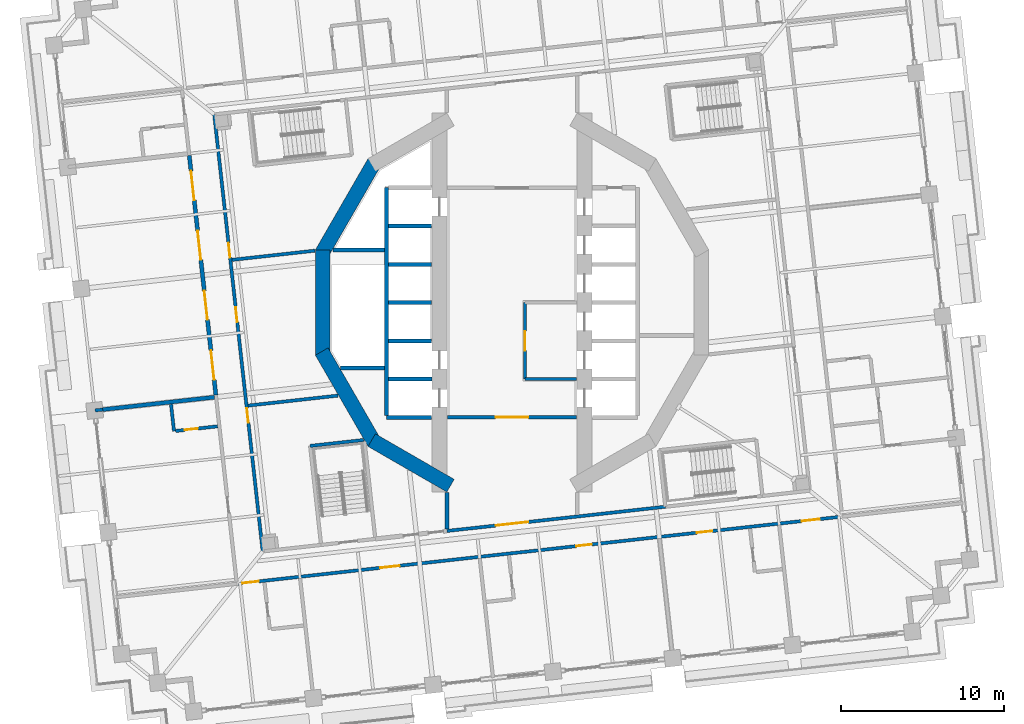
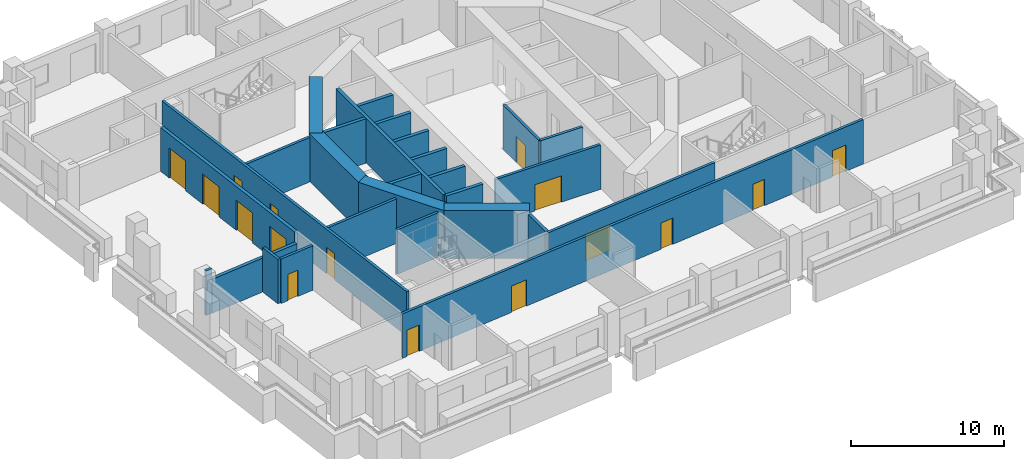
# One storey, part 5 of 19: 28 walls, 16 doors, 16 openings.
"""IFC4 building model written with IfcOpenShell, lengths in metres."""

from ifc_helpers import new_model, si_unit, direction, frame, frame_2d, origin, place, context, subcontext, project, spatial, rectangle, extrude, material, layer, layer_set, type_object, element, fill, save


model = new_model("IFC4")

# Units and contexts
model_context = context("Model", 3, precision=1e-05, world=origin(), true_north=direction((0.0, 1.0)))
body_context = subcontext(model_context, "Body", "Model", "MODEL_VIEW")
ifc_project = project(units=[si_unit("LENGTHUNIT", "METRE"), si_unit("AREAUNIT", "SQUARE_METRE"), si_unit("VOLUMEUNIT", "CUBIC_METRE"), si_unit("PLANEANGLEUNIT", "RADIAN"), si_unit("MASSUNIT", "GRAM", prefix="KILO")], contexts=[model_context])

# Site, building, storey
site_placement = place(None, origin())
site = spatial("IfcSite", under=ifc_project, at=site_placement, CompositionType="ELEMENT")
building_placement = place(site_placement, origin())
building = spatial("IfcBuilding", under=site, at=building_placement, Name="Cantera Rosa Tower", CompositionType="ELEMENT")
storey_placement = place(building_placement, frame((0.0, 0.0, 65.300048828125)))
storey = spatial("IfcBuildingStorey", under=building, at=storey_placement, Name="L13", CompositionType="ELEMENT", Elevation=65.300048828125)

# Wall, openings, doors
ifc_material_1 = material(Name="Gypsum board partition")
ifc_layer_1 = layer(ifc_material_1, 0.199951171875)
ifc_layer_set_1 = layer_set([ifc_layer_1], Name="CORRIDOR WALL 200 H3550")
wall_type_1 = type_object("IfcWallType", Name="CORRIDOR WALL 200 H3550", PredefinedType="PARTITIONING", material=ifc_layer_set_1)
wall_1_placement = place(storey_placement, frame((-18.2861328125, 11.55322265625, 0.0), z_axis=(0.0, 0.0, 1.0), x_axis=(0.110315409641, -0.993896629633, 0.0)))
wall_1 = element("IfcWall", 1, at=wall_1_placement, inside=storey, type_object=wall_type_1, Name="CORRIDOR WALL L13-010", PredefinedType="PARTITIONING", context=body_context, shape_type="SweptSolid", body=[
    extrude(rectangle(XDim=27.0, YDim=0.199951171875, at=frame_2d((13.5, 0.0))), origin(), (0.0, 0.0, 1.0), 3.550048828125),
])
opening_1_placement = place(wall_1_placement, frame((7.9423828125, 0.0, 0.0)))
opening_1 = element("IfcOpeningElement", 2, at=opening_1_placement, cuts=wall_1, Name="Opening L13-007", PredefinedType="OPENING", context=body_context, shape_type="SweptSolid", body=[
    extrude(rectangle(XDim=0.89990234375, YDim=2.10009765625, at=frame_2d((0.449951171875, 1.050048828125))), frame((0.0, 0.10986328125, 0.0), z_axis=(0.0, -1.0, 0.0), x_axis=(1.0, 0.0, 0.0)), (0.0, 0.0, 1.0), 0.219970703125),
])
opening_2_placement = place(wall_1_placement, frame((11.925048828125, 0.0, 0.0)))
opening_2 = element("IfcOpeningElement", 3, at=opening_2_placement, cuts=wall_1, Name="Opening L13-008", PredefinedType="OPENING", context=body_context, shape_type="SweptSolid", body=[
    extrude(rectangle(XDim=0.89990234375, YDim=2.10009765625, at=frame_2d((0.449951171875, 1.050048828125))), frame((0.0, 0.10986328125, 0.0), z_axis=(0.0, -1.0, 0.0), x_axis=(1.0, 0.0, 0.0)), (0.0, 0.0, 1.0), 0.219970703125),
])
opening_3_placement = place(wall_1_placement, frame((18.157470703125, 0.0, 0.0)))
opening_3 = element("IfcOpeningElement", 4, at=opening_3_placement, cuts=wall_1, Name="Opening L13-009", PredefinedType="OPENING", context=body_context, shape_type="SweptSolid", body=[
    extrude(rectangle(XDim=0.89990234375, YDim=2.10009765625, at=frame_2d((0.449951171875, 1.050048828125))), frame((0.0, 0.10986328125, 0.0), z_axis=(0.0, -1.0, 0.0), x_axis=(1.0, 0.0, 0.0)), (0.0, 0.0, 1.0), 0.219970703125),
])
ifc_material_2 = material(Name="Timber door leaf", Category="wood")
door_type_1 = type_object("IfcDoorType", Name="SERVICE DOOR 900x2100", OperationType="NOTDEFINED", PredefinedType="DOOR", material=ifc_material_2)
door_1_placement = place(opening_1_placement, origin())
door_1 = element("IfcDoor", 5, at=door_1_placement, inside=storey, type_object=door_type_1, Name="DOOR L13-007", OperationType="NOTDEFINED", OverallHeight=2.10009765625, OverallWidth=0.89990234375, PredefinedType="DOOR", context=body_context, shape_type="SweptSolid", body=[
    extrude(rectangle(XDim=0.89990234375, YDim=2.10009765625, at=frame_2d((0.449951171875, 1.050048828125))), frame((0.0, 0.02490234375, 0.0), z_axis=(0.0, -1.0, 0.0), x_axis=(1.0, 0.0, 0.0)), (0.0, 0.0, 1.0), 0.050048828125),
])
fill(opening_1, door_1)
door_2_placement = place(opening_2_placement, origin())
door_2 = element("IfcDoor", 6, at=door_2_placement, inside=storey, type_object=door_type_1, Name="DOOR L13-008", OperationType="NOTDEFINED", OverallHeight=2.10009765625, OverallWidth=0.89990234375, PredefinedType="DOOR", context=body_context, shape_type="SweptSolid", body=[
    extrude(rectangle(XDim=0.89990234375, YDim=2.10009765625, at=frame_2d((0.449951171875, 1.050048828125))), frame((0.0, 0.02490234375, 0.0), z_axis=(0.0, -1.0, 0.0), x_axis=(1.0, 0.0, 0.0)), (0.0, 0.0, 1.0), 0.050048828125),
])
fill(opening_2, door_2)
door_3_placement = place(opening_3_placement, origin())
door_3 = element("IfcDoor", 7, at=door_3_placement, inside=storey, type_object=door_type_1, Name="DOOR L13-009", OperationType="NOTDEFINED", OverallHeight=2.10009765625, OverallWidth=0.89990234375, PredefinedType="DOOR", context=body_context, shape_type="SweptSolid", body=[
    extrude(rectangle(XDim=0.89990234375, YDim=2.10009765625, at=frame_2d((0.449951171875, 1.050048828125))), frame((0.0, 0.02490234375, 0.0), z_axis=(0.0, -1.0, 0.0), x_axis=(1.0, 0.0, 0.0)), (0.0, 0.0, 1.0), 0.050048828125),
])
fill(opening_3, door_3)

wall_2_placement = place(storey_placement, frame((-16.898193359375, -17.26953125, 0.0), z_axis=(0.0, 0.0, 1.0), x_axis=(0.993896862852, 0.11031330841, 0.0)))
wall_2 = element("IfcWall", 8, at=wall_2_placement, inside=storey, type_object=wall_type_1, Name="CORRIDOR WALL L13-014", PredefinedType="PARTITIONING", context=body_context, shape_type="SweptSolid", body=[
    extrude(rectangle(XDim=37.400146484375, YDim=0.199951171875, at=frame_2d((18.7001953125, 0.0))), origin(), (0.0, 0.0, 1.0), 3.550048828125),
])
opening_4_placement = place(wall_2_placement, frame((8.85009765625, 0.0, 0.0)))
opening_4 = element("IfcOpeningElement", 9, at=opening_4_placement, cuts=wall_2, Name="Opening L13-037", PredefinedType="OPENING", context=body_context, shape_type="SweptSolid", body=[
    extrude(rectangle(XDim=1.199951171875, YDim=2.10009765625, at=frame_2d((0.60009765625, 1.050048828125))), frame((0.0, 0.10986328125, 0.0), z_axis=(0.0, -1.0, 0.0), x_axis=(1.0, 0.0, 0.0)), (0.0, 0.0, 1.0), 0.219970703125),
])
opening_5_placement = place(wall_2_placement, frame((20.97509765625, 0.0, 0.0)))
opening_5 = element("IfcOpeningElement", 10, at=opening_5_placement, cuts=wall_2, Name="Opening L13-038", PredefinedType="OPENING", context=body_context, shape_type="SweptSolid", body=[
    extrude(rectangle(XDim=0.949951171875, YDim=2.10009765625, at=frame_2d((0.47509765625, 1.050048828125))), frame((0.0, 0.10986328125, 0.0), z_axis=(0.0, -1.0, 0.0), x_axis=(1.0, 0.0, 0.0)), (0.0, 0.0, 1.0), 0.219970703125),
])
opening_6_placement = place(wall_2_placement, frame((28.425048828125, 0.0, 0.0)))
opening_6 = element("IfcOpeningElement", 11, at=opening_6_placement, cuts=wall_2, Name="Opening L13-040", PredefinedType="OPENING", context=body_context, shape_type="SweptSolid", body=[
    extrude(rectangle(XDim=0.949951171875, YDim=2.10009765625, at=frame_2d((0.47509765625, 1.050048828125))), frame((0.0, 0.10986328125, 0.0), z_axis=(0.0, -1.0, 0.0), x_axis=(1.0, 0.0, 0.0)), (0.0, 0.0, 1.0), 0.219970703125),
])
opening_7_placement = place(wall_2_placement, frame((0.35009765625, 0.0, 0.0)))
opening_7 = element("IfcOpeningElement", 12, at=opening_7_placement, cuts=wall_2, Name="Opening L13-042", PredefinedType="OPENING", context=body_context, shape_type="SweptSolid", body=[
    extrude(rectangle(XDim=1.0, YDim=2.10009765625, at=frame_2d((0.5, 1.050048828125))), frame((0.0, 0.10986328125, 0.0), z_axis=(0.0, -1.0, 0.0), x_axis=(1.0, 0.0, 0.0)), (0.0, 0.0, 1.0), 0.219970703125),
])
opening_8_placement = place(wall_2_placement, frame((34.89990234375, 0.0, 0.0)))
opening_8 = element("IfcOpeningElement", 13, at=opening_8_placement, cuts=wall_2, Name="Opening L13-044", PredefinedType="OPENING", context=body_context, shape_type="SweptSolid", body=[
    extrude(rectangle(XDim=1.10009765625, YDim=2.10009765625, at=frame_2d((0.550048828125, 1.050048828125))), frame((0.0, 0.10986328125, 0.0), z_axis=(0.0, -1.0, 0.0), x_axis=(1.0, 0.0, 0.0)), (0.0, 0.0, 1.0), 0.219970703125),
])
ifc_material_3 = material(Name="Timber door leaf", Category="wood")
door_type_2 = type_object("IfcDoorType", Name="ENTRANCE DOOR 1000x2100", OperationType="NOTDEFINED", PredefinedType="DOOR", material=ifc_material_3)
door_4_placement = place(opening_7_placement, origin())
door_4 = element("IfcDoor", 14, at=door_4_placement, inside=storey, type_object=door_type_2, Name="DOOR L13-042", OperationType="NOTDEFINED", OverallHeight=2.10009765625, OverallWidth=1.0, PredefinedType="DOOR", context=body_context, shape_type="SweptSolid", body=[
    extrude(rectangle(XDim=1.0, YDim=2.10009765625, at=frame_2d((0.5, 1.050048828125))), frame((0.0, 0.02490234375, 0.0), z_axis=(0.0, -1.0, 0.0), x_axis=(1.0, 0.0, 0.0)), (0.0, 0.0, 1.0), 0.050048828125),
])
fill(opening_7, door_4)
ifc_material_4 = material(Name="Timber door leaf", Category="wood")
door_type_3 = type_object("IfcDoorType", Name="ROOM DOOR 1100x2100", OperationType="NOTDEFINED", PredefinedType="DOOR", material=ifc_material_4)
door_5_placement = place(opening_8_placement, origin())
door_5 = element("IfcDoor", 15, at=door_5_placement, inside=storey, type_object=door_type_3, Name="DOOR L13-044", OperationType="NOTDEFINED", OverallHeight=2.10009765625, OverallWidth=1.10009765625, PredefinedType="DOOR", context=body_context, shape_type="SweptSolid", body=[
    extrude(rectangle(XDim=1.10009765625, YDim=2.10009765625, at=frame_2d((0.550048828125, 1.050048828125))), frame((0.0, 0.02490234375, 0.0), z_axis=(0.0, -1.0, 0.0), x_axis=(1.0, 0.0, 0.0)), (0.0, 0.0, 1.0), 0.050048828125),
])
fill(opening_8, door_5)
ifc_material_5 = material(Name="Timber door leaf", Category="wood")
door_type_4 = type_object("IfcDoorType", Name="ROOM DOOR 1200x2100", OperationType="NOTDEFINED", PredefinedType="DOOR", material=ifc_material_5)
door_6_placement = place(opening_4_placement, origin())
door_6 = element("IfcDoor", 16, at=door_6_placement, inside=storey, type_object=door_type_4, Name="DOOR L13-037", OperationType="NOTDEFINED", OverallHeight=2.10009765625, OverallWidth=1.199951171875, PredefinedType="DOOR", context=body_context, shape_type="SweptSolid", body=[
    extrude(rectangle(XDim=1.199951171875, YDim=2.10009765625, at=frame_2d((0.60009765625, 1.050048828125))), frame((0.0, 0.02490234375, 0.0), z_axis=(0.0, -1.0, 0.0), x_axis=(1.0, 0.0, 0.0)), (0.0, 0.0, 1.0), 0.050048828125),
])
fill(opening_4, door_6)
ifc_material_6 = material(Name="Timber door leaf", Category="wood")
door_type_5 = type_object("IfcDoorType", Name="ROOM DOOR 950x2100", OperationType="NOTDEFINED", PredefinedType="DOOR", material=ifc_material_6)
door_7_placement = place(opening_5_placement, origin())
door_7 = element("IfcDoor", 17, at=door_7_placement, inside=storey, type_object=door_type_5, Name="DOOR L13-038", OperationType="NOTDEFINED", OverallHeight=2.10009765625, OverallWidth=0.949951171875, PredefinedType="DOOR", context=body_context, shape_type="SweptSolid", body=[
    extrude(rectangle(XDim=0.949951171875, YDim=2.10009765625, at=frame_2d((0.47509765625, 1.050048828125))), frame((0.0, 0.02490234375, 0.0), z_axis=(0.0, -1.0, 0.0), x_axis=(1.0, 0.0, 0.0)), (0.0, 0.0, 1.0), 0.050048828125),
])
fill(opening_5, door_7)
door_8_placement = place(opening_6_placement, origin())
door_8 = element("IfcDoor", 18, at=door_8_placement, inside=storey, type_object=door_type_5, Name="DOOR L13-040", OperationType="NOTDEFINED", OverallHeight=2.10009765625, OverallWidth=0.949951171875, PredefinedType="DOOR", context=body_context, shape_type="SweptSolid", body=[
    extrude(rectangle(XDim=0.949951171875, YDim=2.10009765625, at=frame_2d((0.47509765625, 1.050048828125))), frame((0.0, 0.02490234375, 0.0), z_axis=(0.0, -1.0, 0.0), x_axis=(1.0, 0.0, 0.0)), (0.0, 0.0, 1.0), 0.050048828125),
])
fill(opening_6, door_8)

# Wall, opening, door
wall_3_placement = place(storey_placement, frame((-4.0, -14.02685546875, 0.0), z_axis=(0.0, 0.0, 1.0), x_axis=(0.993897619869, 0.110306487659, 0.0)))
wall_3 = element("IfcWall", 19, at=wall_3_placement, inside=storey, type_object=wall_type_1, Name="CORRIDOR WALL L13-048", PredefinedType="PARTITIONING", context=body_context, shape_type="SweptSolid", body=[
    extrude(rectangle(XDim=13.5009765625, YDim=0.199951171875, at=frame_2d((6.75048828125, 0.0))), origin(), (0.0, 0.0, 1.0), 3.550048828125),
])
opening_9_placement = place(wall_3_placement, frame((3.024658203125, 0.0, 0.0)))
opening_9 = element("IfcOpeningElement", 20, at=opening_9_placement, cuts=wall_3, Name="Opening L13-014", PredefinedType="OPENING", context=body_context, shape_type="SweptSolid", body=[
    extrude(rectangle(XDim=2.0, YDim=2.10009765625, at=frame_2d((1.0, 1.050048828125))), frame((0.0, 0.10986328125, 0.0), z_axis=(0.0, -1.0, 0.0), x_axis=(1.0, 0.0, 0.0)), (0.0, 0.0, 1.0), 0.219970703125),
])
ifc_material_7 = material(Name="Steel S355J2 (EN 10025-2)", Category="steel")
door_type_6 = type_object("IfcDoorType", Name="LOBBY SCREEN DOOR 2000x2100", OperationType="NOTDEFINED", PredefinedType="DOOR", material=ifc_material_7)
door_9_placement = place(opening_9_placement, origin())
door_9 = element("IfcDoor", 21, at=door_9_placement, inside=storey, type_object=door_type_6, Name="DOOR L13-014", OperationType="NOTDEFINED", OverallHeight=2.10009765625, OverallWidth=2.0, PredefinedType="DOOR", context=body_context, shape_type="SweptSolid", body=[
    extrude(rectangle(XDim=2.0, YDim=2.10009765625, at=frame_2d((1.0, 1.050048828125))), frame((0.0, 0.02490234375, 0.0), z_axis=(0.0, -1.0, 0.0), x_axis=(1.0, 0.0, 0.0)), (0.0, 0.0, 1.0), 0.050048828125),
])
fill(opening_9, door_9)

wall_4_placement = place(storey_placement, frame((3.969970703125, -7.050048828125, 0.0), z_axis=(0.0, 0.0, 1.0), x_axis=(-1.0, 0.0, 0.0)))
wall_4 = element("IfcWall", 22, at=wall_4_placement, inside=storey, type_object=wall_type_1, Name="CORRIDOR WALL L13-058", PredefinedType="PARTITIONING", context=body_context, shape_type="SweptSolid", body=[
    extrude(rectangle(XDim=7.93994140625, YDim=0.199951171875, at=frame_2d((3.969970703125, 0.0))), origin(), (0.0, 0.0, 1.0), 3.550048828125),
])
opening_10_placement = place(wall_4_placement, frame((2.969970703125, 0.0, 0.0)))
opening_10 = element("IfcOpeningElement", 23, at=opening_10_placement, cuts=wall_4, Name="Opening L13-015", PredefinedType="OPENING", context=body_context, shape_type="SweptSolid", body=[
    extrude(rectangle(XDim=2.0, YDim=2.10009765625, at=frame_2d((1.0, 1.050048828125))), frame((0.0, 0.10986328125, 0.0), z_axis=(0.0, -1.0, 0.0), x_axis=(1.0, 0.0, 0.0)), (0.0, 0.0, 1.0), 0.219970703125),
])
door_10_placement = place(opening_10_placement, origin())
door_10 = element("IfcDoor", 24, at=door_10_placement, inside=storey, type_object=door_type_6, Name="DOOR L13-015", OperationType="NOTDEFINED", OverallHeight=2.10009765625, OverallWidth=2.0, PredefinedType="DOOR", context=body_context, shape_type="SweptSolid", body=[
    extrude(rectangle(XDim=2.0, YDim=2.10009765625, at=frame_2d((1.0, 1.050048828125))), frame((0.0, 0.02490234375, 0.0), z_axis=(0.0, -1.0, 0.0), x_axis=(1.0, 0.0, 0.0)), (0.0, 0.0, 1.0), 0.050048828125),
])
fill(opening_10, door_10)

# Wall
ifc_material_8 = material(Name="Concrete C40/50", Category="concrete")
ifc_layer_2 = layer(ifc_material_8, 0.25)
ifc_layer_set_2 = layer_set([ifc_layer_2], Name="EW-POCKET CHEEK 250 H2710")
wall_type_2 = type_object("IfcWallType", Name="EW-POCKET CHEEK 250 H2710", PredefinedType="SOLIDWALL", material=ifc_layer_set_2)
wall_5_placement = place(storey_placement, frame((-25.12841796875, -6.572021484375, 0.0), z_axis=(0.0, 0.0, 1.0), x_axis=(0.993899689646, 0.11028783669, 0.0)))
element("IfcWall", 25, at=wall_5_placement, inside=storey, type_object=wall_type_2, Name="POCKET CHEEK B L13", PredefinedType="SOLIDWALL", context=body_context, shape_type="SweptSolid", body=[
    extrude(rectangle(XDim=6.89990234375, YDim=0.25, at=frame_2d((3.449951171875, 0.0))), origin(), (0.0, 0.0, 1.0), 2.7099609375),
])

# Wall, openings, doors
ifc_material_9 = material(Name="Hollow clay masonry with cantera stone cladding", Category="masonry")
ifc_layer_3 = layer(ifc_material_9, 0.25)
ifc_layer_set_3 = layer_set([ifc_layer_3], Name="EW-POCKET REAR 250")
wall_type_3 = type_object("IfcWallType", Name="EW-POCKET REAR 250", PredefinedType="SOLIDWALL", material=ifc_layer_set_3)
wall_6_placement = place(storey_placement, frame((-19.81640625, 9.024169921875, 0.0), z_axis=(0.0, 0.0, 1.0), x_axis=(0.110315574456, -0.99389661134, 0.0)))
wall_6 = element("IfcWall", 26, at=wall_6_placement, inside=storey, type_object=wall_type_3, Name="POCKET REAR L13", PredefinedType="SOLIDWALL", context=body_context, shape_type="SweptSolid", body=[
    extrude(rectangle(XDim=14.790283203125, YDim=0.25, at=frame_2d((7.39501953125, 0.0))), origin(), (0.0, 0.0, 1.0), 3.5),
])
opening_11_placement = place(wall_6_placement, frame((0.94873046875, 0.0, 0.0)))
opening_11 = element("IfcOpeningElement", 27, at=opening_11_placement, cuts=wall_6, Name="Opening L13-LT01", PredefinedType="OPENING", context=body_context, shape_type="SweptSolid", body=[
    extrude(rectangle(XDim=1.800048828125, YDim=2.39990234375, at=frame_2d((0.89990234375, 1.199951171875))), frame((0.0, 0.135009765625, 0.0), z_axis=(0.0, -1.0, 0.0), x_axis=(1.0, 0.0, 0.0)), (0.0, 0.0, 1.0), 0.27001953125),
])
opening_12_placement = place(wall_6_placement, frame((4.646240234375, 0.0, 0.0)))
opening_12 = element("IfcOpeningElement", 28, at=opening_12_placement, cuts=wall_6, Name="Opening L13-LT02", PredefinedType="OPENING", context=body_context, shape_type="SweptSolid", body=[
    extrude(rectangle(XDim=1.800048828125, YDim=2.39990234375, at=frame_2d((0.89990234375, 1.199951171875))), frame((0.0, 0.135009765625, 0.0), z_axis=(0.0, -1.0, 0.0), x_axis=(1.0, 0.0, 0.0)), (0.0, 0.0, 1.0), 0.27001953125),
])
opening_13_placement = place(wall_6_placement, frame((8.34375, 0.0, 0.0)))
opening_13 = element("IfcOpeningElement", 29, at=opening_13_placement, cuts=wall_6, Name="Opening L13-LT03", PredefinedType="OPENING", context=body_context, shape_type="SweptSolid", body=[
    extrude(rectangle(XDim=1.800048828125, YDim=2.39990234375, at=frame_2d((0.89990234375, 1.199951171875))), frame((0.0, 0.135009765625, 0.0), z_axis=(0.0, -1.0, 0.0), x_axis=(1.0, 0.0, 0.0)), (0.0, 0.0, 1.0), 0.27001953125),
])
opening_14_placement = place(wall_6_placement, frame((12.041259765625, 0.0, 0.0)))
opening_14 = element("IfcOpeningElement", 30, at=opening_14_placement, cuts=wall_6, Name="Opening L13-LT04", PredefinedType="OPENING", context=body_context, shape_type="SweptSolid", body=[
    extrude(rectangle(XDim=1.800048828125, YDim=2.39990234375, at=frame_2d((0.89990234375, 1.199951171875))), frame((0.0, 0.135009765625, 0.0), z_axis=(0.0, -1.0, 0.0), x_axis=(1.0, 0.0, 0.0)), (0.0, 0.0, 1.0), 0.27001953125),
])
ifc_material_10 = material(Name="Aluminium frame with clear glass", Category="aluminium")
door_type_7 = type_object("IfcDoorType", Name="TD-T 1800x2400", OperationType="NOTDEFINED", PredefinedType="DOOR", material=ifc_material_10)
door_11_placement = place(opening_11_placement, origin())
door_11 = element("IfcDoor", 31, at=door_11_placement, inside=storey, type_object=door_type_7, Name="TERRACE DOOR L13-LT01", OperationType="DOUBLE_DOOR_SINGLE_SWING", OverallHeight=2.39990234375, OverallWidth=1.800048828125, PredefinedType="DOOR", context=body_context, shape_type="SweptSolid", body=[
    extrude(rectangle(XDim=1.800048828125, YDim=2.39990234375, at=frame_2d((0.89990234375, 1.199951171875))), frame((0.0, 0.02490234375, 0.0), z_axis=(0.0, -1.0, 0.0), x_axis=(1.0, 0.0, 0.0)), (0.0, 0.0, 1.0), 0.050048828125),
])
fill(opening_11, door_11)
door_12_placement = place(opening_12_placement, origin())
door_12 = element("IfcDoor", 32, at=door_12_placement, inside=storey, type_object=door_type_7, Name="TERRACE DOOR L13-LT02", OperationType="DOUBLE_DOOR_SINGLE_SWING", OverallHeight=2.39990234375, OverallWidth=1.800048828125, PredefinedType="DOOR", context=body_context, shape_type="SweptSolid", body=[
    extrude(rectangle(XDim=1.800048828125, YDim=2.39990234375, at=frame_2d((0.89990234375, 1.199951171875))), frame((0.0, 0.02490234375, 0.0), z_axis=(0.0, -1.0, 0.0), x_axis=(1.0, 0.0, 0.0)), (0.0, 0.0, 1.0), 0.050048828125),
])
fill(opening_12, door_12)
door_13_placement = place(opening_13_placement, origin())
door_13 = element("IfcDoor", 33, at=door_13_placement, inside=storey, type_object=door_type_7, Name="TERRACE DOOR L13-LT03", OperationType="DOUBLE_DOOR_SINGLE_SWING", OverallHeight=2.39990234375, OverallWidth=1.800048828125, PredefinedType="DOOR", context=body_context, shape_type="SweptSolid", body=[
    extrude(rectangle(XDim=1.800048828125, YDim=2.39990234375, at=frame_2d((0.89990234375, 1.199951171875))), frame((0.0, 0.02490234375, 0.0), z_axis=(0.0, -1.0, 0.0), x_axis=(1.0, 0.0, 0.0)), (0.0, 0.0, 1.0), 0.050048828125),
])
fill(opening_13, door_13)
door_14_placement = place(opening_14_placement, origin())
door_14 = element("IfcDoor", 34, at=door_14_placement, inside=storey, type_object=door_type_7, Name="TERRACE DOOR L13-LT04", OperationType="DOUBLE_DOOR_SINGLE_SWING", OverallHeight=2.39990234375, OverallWidth=1.800048828125, PredefinedType="DOOR", context=body_context, shape_type="SweptSolid", body=[
    extrude(rectangle(XDim=1.800048828125, YDim=2.39990234375, at=frame_2d((0.89990234375, 1.199951171875))), frame((0.0, 0.02490234375, 0.0), z_axis=(0.0, -1.0, 0.0), x_axis=(1.0, 0.0, 0.0)), (0.0, 0.0, 1.0), 0.050048828125),
])
fill(opening_14, door_14)

# Wall
ifc_material_11 = material(Name="Gypsum board partition")
ifc_layer_4 = layer(ifc_material_11, 0.199951171875)
ifc_layer_set_4 = layer_set([ifc_layer_4], Name="PARTITION 200 H3550")
wall_type_4 = type_object("IfcWallType", Name="PARTITION 200 H3550", PredefinedType="PARTITIONING", material=ifc_layer_set_4)
wall_7_placement = place(storey_placement, frame((-20.75537109375, -7.897705078125, 0.0), z_axis=(0.0, 0.0, 1.0), x_axis=(-0.11041543208, 0.993885522763, 0.0)))
element("IfcWall", 35, at=wall_7_placement, inside=storey, type_object=wall_type_4, Name="PARTITION L13-005", PredefinedType="PARTITIONING", context=body_context, shape_type="SweptSolid", body=[
    extrude(rectangle(XDim=1.6650390625, YDim=0.199951171875, at=frame_2d((0.83251953125, 0.0))), origin(), (0.0, 0.0, 1.0), 3.550048828125),
])

# Wall, opening, door
wall_8_placement = place(storey_placement, frame((-18.072021484375, -7.599853515625, 0.0), z_axis=(0.0, 0.0, 1.0), x_axis=(-0.993894037028, -0.110338765449, 0.0)))
wall_8 = element("IfcWall", 36, at=wall_8_placement, inside=storey, type_object=wall_type_4, Name="PARTITION L13-012", PredefinedType="PARTITIONING", context=body_context, shape_type="SweptSolid", body=[
    extrude(rectangle(XDim=2.599853515625, YDim=0.199951171875, at=frame_2d((1.2998046875, 0.0))), origin(), (0.0, 0.0, 1.0), 3.550048828125),
])
opening_15_placement = place(wall_8_placement, frame((1.236083984375, 0.0, 0.0)))
opening_15 = element("IfcOpeningElement", 37, at=opening_15_placement, cuts=wall_8, Name="Opening L13-036", PredefinedType="OPENING", context=body_context, shape_type="SweptSolid", body=[
    extrude(rectangle(XDim=0.800048828125, YDim=2.10009765625, at=frame_2d((0.39990234375, 1.050048828125))), frame((0.0, 0.10986328125, 0.0), z_axis=(0.0, -1.0, 0.0), x_axis=(1.0, 0.0, 0.0)), (0.0, 0.0, 1.0), 0.219970703125),
])
ifc_material_12 = material(Name="Timber door leaf", Category="wood")
door_type_8 = type_object("IfcDoorType", Name="BATHROOM DOOR 800x2100", OperationType="NOTDEFINED", PredefinedType="DOOR", material=ifc_material_12)
door_15_placement = place(opening_15_placement, origin())
door_15 = element("IfcDoor", 38, at=door_15_placement, inside=storey, type_object=door_type_8, Name="DOOR L13-036", OperationType="NOTDEFINED", OverallHeight=2.10009765625, OverallWidth=0.800048828125, PredefinedType="DOOR", context=body_context, shape_type="SweptSolid", body=[
    extrude(rectangle(XDim=0.800048828125, YDim=2.10009765625, at=frame_2d((0.39990234375, 1.050048828125))), frame((0.0, 0.02490234375, 0.0), z_axis=(0.0, -1.0, 0.0), x_axis=(1.0, 0.0, 0.0)), (0.0, 0.0, 1.0), 0.050048828125),
])
fill(opening_15, door_15)

# Walls
wall_9_placement = place(storey_placement, frame((-12.10400390625, 3.18408203125, 0.0), z_axis=(0.0, 0.0, 1.0), x_axis=(-0.993901744429, -0.110269317674, 0.0)))
element("IfcWall", 39, at=wall_9_placement, inside=storey, type_object=wall_type_4, Name="PARTITION L13-026", PredefinedType="PARTITIONING", context=body_context, shape_type="SweptSolid", body=[
    extrude(rectangle(XDim=5.12109375, YDim=0.199951171875, at=frame_2d((2.560546875, 0.0))), origin(), (0.0, 0.0, 1.0), 3.550048828125),
])
wall_10_placement = place(storey_placement, frame((-10.67822265625, -5.712890625, 0.0), z_axis=(0.0, 0.0, 1.0), x_axis=(-0.993900868117, -0.110277215939, 0.0)))
element("IfcWall", 40, at=wall_10_placement, inside=storey, type_object=wall_type_4, Name="PARTITION L13-031", PredefinedType="PARTITIONING", context=body_context, shape_type="SweptSolid", body=[
    extrude(rectangle(XDim=5.556884765625, YDim=0.199951171875, at=frame_2d((2.7783203125, 0.0))), origin(), (0.0, 0.0, 1.0), 3.550048828125),
])
ifc_material_13 = material(Name="Gypsum board partition")
ifc_layer_5 = layer(ifc_material_13, 0.199951171875)
ifc_layer_set_5 = layer_set([ifc_layer_5], Name="PARTY WALL 200 H3550")
wall_type_5 = type_object("IfcWallType", Name="PARTY WALL 200 H3550", PredefinedType="PARTITIONING", material=ifc_layer_set_5)
wall_11_placement = place(storey_placement, frame((-25.595458984375, -6.623779296875, 0.0), z_axis=(0.0, 0.0, 1.0), x_axis=(0.993915374171, 0.110146397974, 0.0)))
element("IfcWall", 41, at=wall_11_placement, inside=storey, type_object=wall_type_5, Name="PARTY WALL L13-001", PredefinedType="PARTITIONING", context=body_context, shape_type="SweptSolid", body=[
    extrude(rectangle(XDim=0.469970703125, YDim=0.199951171875, at=frame_2d((0.23486328125, 0.0))), origin(), (0.0, 0.0, 1.0), 3.550048828125),
])
ifc_material_14 = material(Name="Concrete C70/85", Category="concrete")
ifc_layer_6 = layer(ifc_material_14, 0.89990234375)
ifc_layer_set_6 = layer_set([ifc_layer_6], Name="RC CORE WALL 900 C70/85")
wall_type_6 = type_object("IfcWallType", Name="RC CORE WALL 900 C70/85", PredefinedType="SHEAR", material=ifc_layer_set_6)
wall_12_placement = place(storey_placement, frame((-3.77490234375, -11.242919921875, 0.0), z_axis=(0.0, 0.0, 1.0), x_axis=(-0.866026961591, 0.49999730179, 0.0)))
element("IfcWall", 42, at=wall_12_placement, inside=storey, type_object=wall_type_6, Name="CW-W1 L13", PredefinedType="SHEAR", context=body_context, shape_type="SweptSolid", body=[
    extrude(rectangle(XDim=5.58740234375, YDim=0.89990234375, at=frame_2d((2.793701171875, 0.0))), origin(), (0.0, 0.0, 1.0), 3.800048828125),
])
wall_13_placement = place(storey_placement, frame((-8.44921875, -8.61376953125, 0.0), z_axis=(0.0, 0.0, 1.0), x_axis=(-0.499990282633, 0.866031014036, 0.0)))
element("IfcWall", 43, at=wall_13_placement, inside=storey, type_object=wall_type_6, Name="CW-W2 L13", PredefinedType="SHEAR", context=body_context, shape_type="SweptSolid", body=[
    extrude(rectangle(XDim=6.470458984375, YDim=0.89990234375, at=frame_2d((3.2353515625, 0.0))), origin(), (0.0, 0.0, 1.0), 3.800048828125),
])
wall_14_placement = place(storey_placement, frame((-11.6240234375, -3.2353515625, 0.0), z_axis=(0.0, 0.0, 1.0), x_axis=(0.0, 1.0, 0.0)))
element("IfcWall", 44, at=wall_14_placement, inside=storey, type_object=wall_type_6, Name="CW-W3 L13", PredefinedType="SHEAR", context=body_context, shape_type="SweptSolid", body=[
    extrude(rectangle(XDim=6.470703125, YDim=0.89990234375, at=frame_2d((3.2353515625, 0.0))), origin(), (0.0, 0.0, 1.0), 3.800048828125),
])
wall_15_placement = place(storey_placement, frame((-11.684326171875, 3.01025390625, 0.0), z_axis=(0.0, 0.0, 1.0), x_axis=(0.499990282633, 0.866031014036, 0.0)))
element("IfcWall", 45, at=wall_15_placement, inside=storey, type_object=wall_type_6, Name="CW-W4 L13", PredefinedType="SHEAR", context=body_context, shape_type="SweptSolid", body=[
    extrude(rectangle(XDim=6.470458984375, YDim=0.89990234375, at=frame_2d((3.2353515625, 0.0))), origin(), (0.0, 0.0, 1.0), 3.800048828125),
])
ifc_material_15 = material(Name="Masonry blockwork", Category="masonry")
ifc_layer_7 = layer(ifc_material_15, 0.25)
ifc_layer_set_7 = layer_set([ifc_layer_7], Name="SHAFT WALL 250 H3550")
wall_type_7 = type_object("IfcWallType", Name="SHAFT WALL 250 H3550", PredefinedType="SOLIDWALL", material=ifc_layer_set_7)
wall_16_placement = place(storey_placement, frame((-11.0068359375, 3.2236328125, 0.0), z_axis=(0.0, 0.0, 1.0), x_axis=(1.0, 0.0, 0.0)))
element("IfcWall", 46, at=wall_16_placement, inside=storey, type_object=wall_type_7, Name="SHAFT WALL L13-029", PredefinedType="SOLIDWALL", context=body_context, shape_type="SweptSolid", body=[
    extrude(rectangle(XDim=3.181884765625, YDim=0.25, at=frame_2d((1.5908203125, 0.0))), origin(), (0.0, 0.0, 1.0), 3.550048828125),
])
wall_17_placement = place(storey_placement, frame((-10.54150390625, -4.029541015625, 0.0), z_axis=(0.0, 0.0, 1.0), x_axis=(1.0, 0.0, 0.0)))
element("IfcWall", 47, at=wall_17_placement, inside=storey, type_object=wall_type_7, Name="SHAFT WALL L13-032", PredefinedType="SOLIDWALL", context=body_context, shape_type="SweptSolid", body=[
    extrude(rectangle(XDim=2.716552734375, YDim=0.25, at=frame_2d((1.3583984375, 0.0))), origin(), (0.0, 0.0, 1.0), 3.550048828125),
])
wall_18_placement = place(storey_placement, frame((-7.699951171875, -7.050048828125, 0.0), z_axis=(0.0, 0.0, 1.0), x_axis=(1.0, 0.0, 0.0)))
element("IfcWall", 48, at=wall_18_placement, inside=storey, type_object=wall_type_7, Name="SHAFT WALL L13-039", PredefinedType="SOLIDWALL", context=body_context, shape_type="SweptSolid", body=[
    extrude(rectangle(XDim=2.77001953125, YDim=0.25, at=frame_2d((1.385009765625, 0.0))), origin(), (0.0, 0.0, 1.0), 3.550048828125),
])
wall_19_placement = place(storey_placement, frame((-7.574951171875, -4.699951171875, 0.0), z_axis=(0.0, 0.0, 1.0), x_axis=(1.0, 0.0, 0.0)))
element("IfcWall", 49, at=wall_19_placement, inside=storey, type_object=wall_type_7, Name="SHAFT WALL L13-040", PredefinedType="SOLIDWALL", context=body_context, shape_type="SweptSolid", body=[
    extrude(rectangle(XDim=2.675048828125, YDim=0.25, at=frame_2d((1.33740234375, 0.0))), origin(), (0.0, 0.0, 1.0), 3.550048828125),
])
for number, where, z_axis, x_axis, name in (
    (50, (-7.574951171875, -2.35009765625, 0.0), (0.0, 0.0, 1.0), (1.0, 0.0, 0.0), "SHAFT WALL L13-041"),
    (51, (-7.574951171875, 0.0, 0.0), (0.0, 0.0, 1.0), (1.0, 0.0, 0.0), "SHAFT WALL L13-042"),
    (52, (-7.574951171875, 2.35009765625, 0.0), (0.0, 0.0, 1.0), (1.0, 0.0, 0.0), "SHAFT WALL L13-043"),
    (53, (-7.574951171875, 4.699951171875, 0.0), (0.0, 0.0, 1.0), (1.0, 0.0, 0.0), "SHAFT WALL L13-044"),
):
    element("IfcWall", number, at=place(storey_placement, frame(where, z_axis=z_axis, x_axis=x_axis)), inside=storey, type_object=wall_type_7, Name=name, PredefinedType="SOLIDWALL", context=body_context, shape_type="SweptSolid", body=[
        extrude(rectangle(XDim=2.64501953125, YDim=0.25, at=frame_2d((1.322509765625, 0.0))), origin(), (0.0, 0.0, 1.0), 3.550048828125),
    ])
wall_20_placement = place(storey_placement, frame((-7.699951171875, 7.050048828125, 0.0), z_axis=(0.0, 0.0, 1.0), x_axis=(0.0, -1.0, 0.0)))
element("IfcWall", 54, at=wall_20_placement, inside=storey, type_object=wall_type_7, Name="SHAFT WALL L13-045", PredefinedType="SOLIDWALL", context=body_context, shape_type="SweptSolid", body=[
    extrude(rectangle(XDim=13.97998046875, YDim=0.25, at=frame_2d((6.989990234375, 0.0))), origin(), (0.0, 0.0, 1.0), 3.550048828125),
])
wall_21_placement = place(storey_placement, frame((-4.0, -11.667236328125, 0.0), z_axis=(0.0, 0.0, 1.0), x_axis=(0.0, -1.0, 0.0)))
element("IfcWall", 55, at=wall_21_placement, inside=storey, type_object=wall_type_7, Name="SHAFT WALL L13-049", PredefinedType="SOLIDWALL", context=body_context, shape_type="SweptSolid", body=[
    extrude(rectangle(XDim=2.23974609375, YDim=0.25, at=frame_2d((1.119873046875, 0.0))), origin(), (0.0, 0.0, 1.0), 3.550048828125),
])
ifc_material_16 = material(Name="Concrete C50/60", Category="concrete")
ifc_layer_8 = layer(ifc_material_16, 0.199951171875)
ifc_layer_set_8 = layer_set([ifc_layer_8], Name="STAIR WALL 200 H3550")
wall_type_8 = type_object("IfcWallType", Name="STAIR WALL 200 H3550", PredefinedType="SOLIDWALL", material=ifc_layer_set_8)
wall_22_placement = place(storey_placement, frame((-9.10498046875, -8.437744140625, 0.0), z_axis=(0.0, 0.0, 1.0), x_axis=(-0.993897215684, -0.110310129436, 0.0)))
element("IfcWall", 56, at=wall_22_placement, inside=storey, type_object=wall_type_8, Name="STAIR WALL L13-035", PredefinedType="SOLIDWALL", context=body_context, shape_type="SweptSolid", body=[
    extrude(rectangle(XDim=3.31103515625, YDim=0.199951171875, at=frame_2d((1.655517578125, 0.0))), origin(), (0.0, 0.0, 1.0), 3.550048828125),
])

# Wall, opening, door
wall_23_placement = place(storey_placement, frame((0.800048828125, -4.699951171875, 0.0), z_axis=(0.0, 0.0, 1.0), x_axis=(0.0, 1.0, 0.0)))
wall_23 = element("IfcWall", 57, at=wall_23_placement, inside=storey, type_object=wall_type_8, Name="STAIR WALL L13-055", PredefinedType="SOLIDWALL", context=body_context, shape_type="SweptSolid", body=[
    extrude(rectangle(XDim=4.699951171875, YDim=0.199951171875, at=frame_2d((2.35009765625, 0.0))), origin(), (0.0, 0.0, 1.0), 3.550048828125),
])
opening_16_placement = place(wall_23_placement, frame((1.75, 0.0, 0.0)))
opening_16 = element("IfcOpeningElement", 58, at=opening_16_placement, cuts=wall_23, Name="Opening L13-016", PredefinedType="OPENING", context=body_context, shape_type="SweptSolid", body=[
    extrude(rectangle(XDim=1.199951171875, YDim=2.10009765625, at=frame_2d((0.60009765625, 1.050048828125))), frame((0.0, 0.10986328125, 0.0), z_axis=(0.0, -1.0, 0.0), x_axis=(1.0, 0.0, 0.0)), (0.0, 0.0, 1.0), 0.219970703125),
])
ifc_material_17 = material(Name="Steel S355J2 (EN 10025-2)", Category="steel")
door_type_9 = type_object("IfcDoorType", Name="FIRE DOOR 1200x2100", OperationType="NOTDEFINED", PredefinedType="DOOR", material=ifc_material_17)
door_16_placement = place(opening_16_placement, origin())
door_16 = element("IfcDoor", 59, at=door_16_placement, inside=storey, type_object=door_type_9, Name="DOOR L13-016", OperationType="NOTDEFINED", OverallHeight=2.10009765625, OverallWidth=1.199951171875, PredefinedType="DOOR", context=body_context, shape_type="SweptSolid", body=[
    extrude(rectangle(XDim=1.199951171875, YDim=2.10009765625, at=frame_2d((0.60009765625, 1.050048828125))), frame((0.0, 0.02490234375, 0.0), z_axis=(0.0, -1.0, 0.0), x_axis=(1.0, 0.0, 0.0)), (0.0, 0.0, 1.0), 0.050048828125),
])
fill(opening_16, door_16)

# Wall
wall_24_placement = place(storey_placement, frame((3.969970703125, -4.699951171875, 0.0), z_axis=(0.0, 0.0, 1.0), x_axis=(-1.0, 0.0, 0.0)))
element("IfcWall", 60, at=wall_24_placement, inside=storey, type_object=wall_type_8, Name="STAIR WALL L13-059", PredefinedType="SOLIDWALL", context=body_context, shape_type="SweptSolid", body=[
    extrude(rectangle(XDim=3.169921875, YDim=0.199951171875, at=frame_2d((1.5849609375, 0.0))), origin(), (0.0, 0.0, 1.0), 3.550048828125),
])

save(model, "model.ifc")
